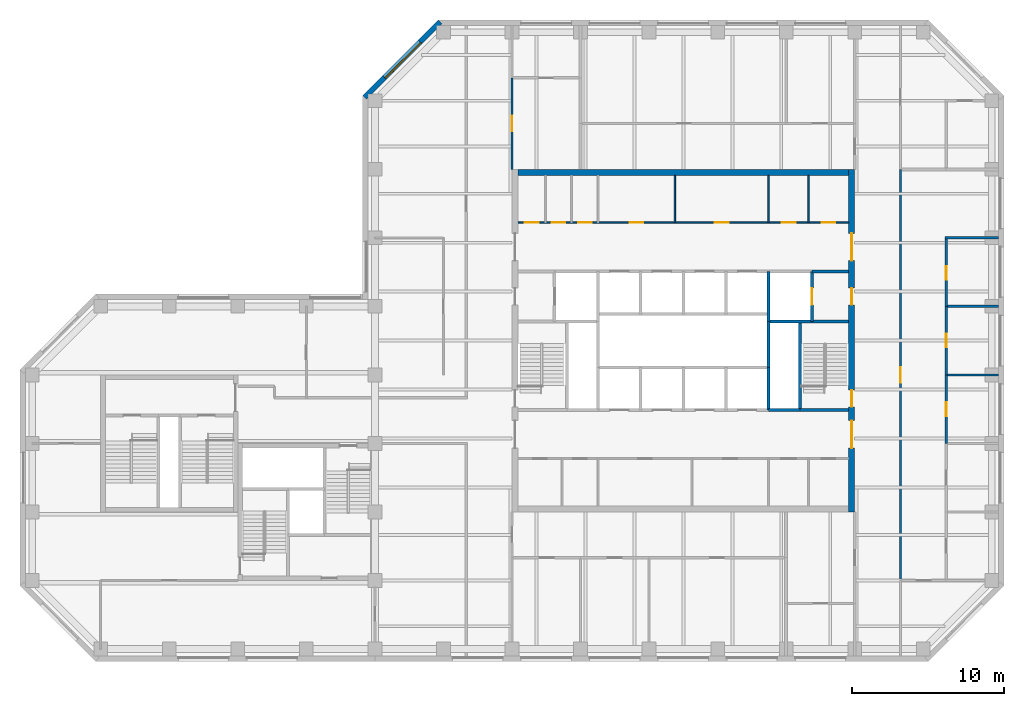
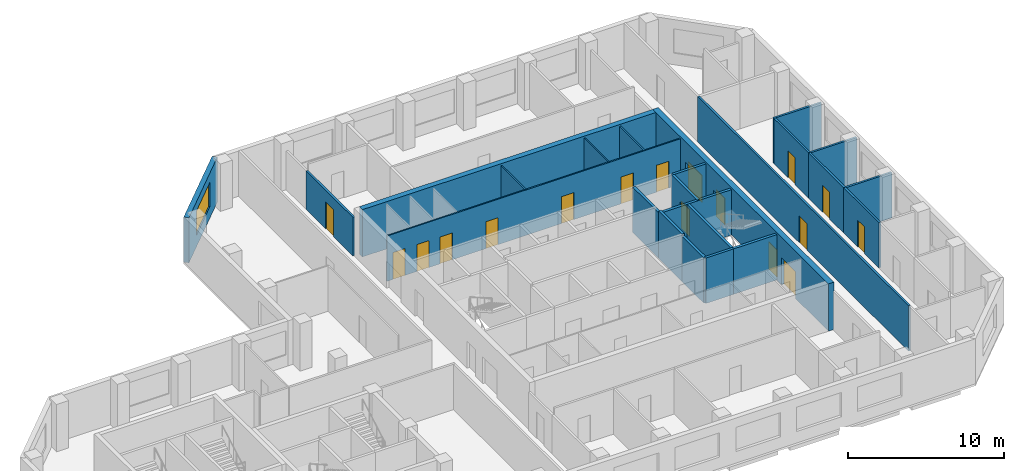
# One storey, part 6 of 9: 24 walls, 17 doors, 1 window, 18 openings.
"""IFC4 building model written with IfcOpenShell, lengths in metres."""

import ifcopenshell
import ifcopenshell.guid

model = None  # the IFC model being written
_history = None  # IfcOwnerHistory: only IFC2X3 demands one
_inside = {}  # id of a spatial element -> (the spatial element, [elements in it])
_under = {}  # id of a project, library or spatial element -> (it, [spatial elements below it])
_declared = {}  # id of a project -> (the project, [libraries it declares])
_typed = {}  # id of a type object -> (the type object, [elements of that type])
_made_of = {}  # id of a material, layer set ... -> (it, [elements and type objects made of it])


def new_model(schema):
    """Start an empty IFC model of exactly this schema.

    Asked for "IFC4X3", IfcOpenShell would pick the latest addendum, in which some entities
    have other attributes; the version numbers below select the first issue.
    IFC2X3 requires an IfcOwnerHistory on every rooted entity: one is made here for all.
    """
    global model, _history
    if schema == "IFC4X3":
        model = ifcopenshell.file(schema_version=(4, 3, 0, 0))
    else:
        model = ifcopenshell.file(schema=schema)
    _inside.clear()
    _under.clear()
    _declared.clear()
    _typed.clear()
    _made_of.clear()
    _history = None
    if model.schema == "IFC2X3":
        org = make("IfcOrganization", Name="unknown")
        user = make(
            "IfcPersonAndOrganization",
            ThePerson=make("IfcPerson", FamilyName="unknown"),
            TheOrganization=org,
        )
        app = make(
            "IfcApplication",
            ApplicationDeveloper=org,
            Version="unknown",
            ApplicationFullName="unknown",
            ApplicationIdentifier="unknown",
        )
        _history = make(
            "IfcOwnerHistory",
            OwningUser=user,
            OwningApplication=app,
            ChangeAction="ADDED",
            CreationDate=0,
        )
    return model


def make(cls, **values):
    """One entity of the class cls with the attributes given. An attribute that is None is left unset."""
    return model.create_entity(
        cls, **{name: value for name, value in values.items() if value is not None}
    )


def rooted(cls, **values):
    """An entity with a GlobalId (a new one), such as an element, a storey or a relation."""
    return make(cls, GlobalId=ifcopenshell.guid.new(), OwnerHistory=_history, **values)


def si_unit(unit_type, name, prefix=None):
    """IfcSIUnit, for example si_unit("LENGTHUNIT", "METRE", prefix="MILLI")."""
    return make("IfcSIUnit", UnitType=unit_type, Prefix=prefix, Name=name)


def assignment(units):
    """IfcUnitAssignment: the units of a project."""
    return None if units is None else make("IfcUnitAssignment", Units=units)


def point(xyz):
    """IfcCartesianPoint."""
    return None if xyz is None else make("IfcCartesianPoint", Coordinates=xyz)


def direction(xyz):
    """IfcDirection."""
    return None if xyz is None else make("IfcDirection", DirectionRatios=xyz)


def frame(location, z_axis=None, x_axis=None):
    """IfcAxis2Placement3D, a coordinate frame: its origin and axes. An axis left out is left unset."""
    return make(
        "IfcAxis2Placement3D",
        Location=point(location),
        Axis=direction(z_axis),
        RefDirection=direction(x_axis),
    )


def frame_2d(location, x_axis=None):
    """IfcAxis2Placement2D, a coordinate frame in the plane: its origin and x axis."""
    return make(
        "IfcAxis2Placement2D", Location=point(location), RefDirection=direction(x_axis)
    )


def origin():
    """The frame at (0, 0, 0) with its axes left unset."""
    return frame((0.0, 0.0, 0.0))


def place(relative_to, where):
    """IfcLocalPlacement: puts the frame where relative to a parent placement (None: the world)."""
    return make(
        "IfcLocalPlacement", PlacementRelTo=relative_to, RelativePlacement=where
    )


def context(
    kind, dimensions, precision=None, world=None, true_north=None, identifier=None
):
    """IfcGeometricRepresentationContext, for example the 3D "Model" context."""
    return make(
        "IfcGeometricRepresentationContext",
        ContextIdentifier=identifier,
        ContextType=kind,
        CoordinateSpaceDimension=dimensions,
        Precision=precision,
        WorldCoordinateSystem=world,
        TrueNorth=true_north,
    )


def subcontext(parent, identifier, kind, view, scale=None):
    """IfcGeometricRepresentationSubContext, for example "Body" below "Model"."""
    return make(
        "IfcGeometricRepresentationSubContext",
        ContextIdentifier=identifier,
        ContextType=kind,
        ParentContext=parent,
        TargetScale=scale,
        TargetView=view,
    )


def project(units=None, contexts=None):
    """IfcProject with its units and contexts."""
    return rooted(
        "IfcProject",
        Name="project",
        RepresentationContexts=contexts,
        UnitsInContext=assignment(units),
    )


def spatial(cls, under=None, at=None, **own):
    """A site, building, storey or space (cls), placed at a placement, below another one or the project."""
    s = rooted(cls, ObjectPlacement=at, **own)
    if under is not None:
        _under.setdefault(under.id(), (under, []))[1].append(s)
    return s


def profile(cls, at=None, kind="AREA", **sizes):
    """A parametric profile (cls). Its sizes go by their IFC names, for example OverallWidth=200.0."""
    return make(cls, ProfileType=kind, Position=at, **sizes)


def rectangle(**sizes):
    """IfcRectangleProfileDef."""
    return profile("IfcRectangleProfileDef", **sizes)


def extrude(swept, where, along, depth):
    """IfcExtrudedAreaSolid: the profile swept, set in the frame where, extruded along a direction by depth."""
    return make(
        "IfcExtrudedAreaSolid",
        SweptArea=swept,
        Position=where,
        ExtrudedDirection=direction(along),
        Depth=depth,
    )


def shape(context_of_items, identifier, shape_type, items):
    """IfcShapeRepresentation: the items that make up one representation, for example the "Body"."""
    return make(
        "IfcShapeRepresentation",
        ContextOfItems=context_of_items,
        RepresentationIdentifier=identifier,
        RepresentationType=shape_type,
        Items=items,
    )


def material(Name=None, Category=None):
    """IfcMaterial."""
    return make("IfcMaterial", Name=Name, Category=Category)


def layer(
    of_material, thickness, ventilated=None, Name=None, Category=None, Priority=None
):
    """IfcMaterialLayer: one layer of a wall or slab, of a material (None: an air gap)."""
    return make(
        "IfcMaterialLayer",
        Material=of_material,
        LayerThickness=thickness,
        IsVentilated=ventilated,
        Name=Name,
        Category=Category,
        Priority=Priority,
    )


def layer_set(layers, Name=None):
    """IfcMaterialLayerSet."""
    return make("IfcMaterialLayerSet", MaterialLayers=layers, LayerSetName=Name)


def constituent(of_material, Name=None, Category=None, fraction=None):
    """IfcMaterialConstituent: one of the materials an element consists of."""
    return make(
        "IfcMaterialConstituent",
        Name=Name,
        Material=of_material,
        Fraction=fraction,
        Category=Category,
    )


def constituent_set(constituents=None, Name=None):
    """IfcMaterialConstituentSet."""
    return make(
        "IfcMaterialConstituentSet", Name=Name, MaterialConstituents=constituents
    )


def made_of(thing, what):
    """Note that an element or type object is made of a material, layer set ...; save() writes the relation."""
    if what is not None:
        _made_of.setdefault(what.id(), (what, []))[1].append(thing)
    return thing


def type_object(cls, material=None, **own):
    """A type object (cls), such as IfcWallType, which elements share."""
    return made_of(rooted(cls, **own), material)


def element(
    cls,
    number,
    at=None,
    inside=None,
    cuts=None,
    type_object=None,
    material=None,
    context=None,
    identifier="Body",
    shape_type=None,
    held_by="IfcProductDefinitionShape",
    body=None,
    shapes=None,
    **own,
):
    """One element of the class cls, such as IfcWall. Its Tag is "e" and its number.

    at: its placement. inside: the storey or other place that contains it. cuts: it is an
    opening in that element (IfcRelVoidsElement). A single representation is given by context,
    identifier, shape_type and body (its items); several are given by shapes. held_by: the class
    of the entity that holds the representations. save() writes the other relations.
    """
    e = rooted(cls, Tag="e%d" % number, ObjectPlacement=at, **own)
    if body is not None:
        shapes = [shape(context, identifier, shape_type, body)]
    if shapes is not None:
        e.Representation = make(held_by, Representations=shapes)
    if inside is not None:
        _inside.setdefault(inside.id(), (inside, []))[1].append(e)
    if cuts is not None:
        rooted(
            "IfcRelVoidsElement", RelatingBuildingElement=cuts, RelatedOpeningElement=e
        )
    if type_object is not None:
        _typed.setdefault(type_object.id(), (type_object, []))[1].append(e)
    return made_of(e, material)


def fill(opening, filler):
    """IfcRelFillsElement: the door or window that sits in an opening."""
    return rooted(
        "IfcRelFillsElement",
        RelatingOpeningElement=opening,
        RelatedBuildingElement=filler,
    )


def aggregate(whole, parts):
    """IfcRelAggregates: a whole, such as a stair, and the parts it consists of."""
    return rooted("IfcRelAggregates", RelatingObject=whole, RelatedObjects=parts)


def save(model, path):
    """Write the relations noted so far, then the file.

    IfcRelAggregates (storeys below a building ...), IfcRelContainedInSpatialStructure (elements
    in a storey), IfcRelDefinesByType, IfcRelAssociatesMaterial and IfcRelDeclares: one each for
    every whole, place, type object, material and project.
    """
    for whole, parts in _under.values():
        aggregate(whole, parts)
    for where, things in _inside.values():
        rooted(
            "IfcRelContainedInSpatialStructure",
            RelatedElements=things,
            RelatingStructure=where,
        )
    for kind, things in _typed.values():
        rooted("IfcRelDefinesByType", RelatedObjects=things, RelatingType=kind)
    for what, things in _made_of.values():
        rooted("IfcRelAssociatesMaterial", RelatedObjects=things, RelatingMaterial=what)
    for by, libraries in _declared.values():
        rooted("IfcRelDeclares", RelatingContext=by, RelatedDefinitions=libraries)
    model.write(path)


model = new_model("IFC4")

# Units and contexts
model_context = context("Model", 3, precision=1e-05, world=origin(), true_north=direction((0.0, 1.0)))
body_context = subcontext(model_context, "Body", "Model", "MODEL_VIEW")
ifc_project = project(units=[si_unit("LENGTHUNIT", "METRE"), si_unit("AREAUNIT", "SQUARE_METRE"), si_unit("VOLUMEUNIT", "CUBIC_METRE"), si_unit("PLANEANGLEUNIT", "RADIAN"), si_unit("MASSUNIT", "GRAM", prefix="KILO")], contexts=[model_context])

# Site, building, storey
site_placement = place(None, origin())
site = spatial("IfcSite", under=ifc_project, at=site_placement, CompositionType="ELEMENT")
building_placement = place(site_placement, origin())
building = spatial("IfcBuilding", under=site, at=building_placement, Name="Quoin Convention Tower", CompositionType="ELEMENT")
storey_placement = place(building_placement, frame((0.0, 0.0, 177.300048828125)))
storey = spatial("IfcBuildingStorey", under=building, at=storey_placement, Name="L46", CompositionType="ELEMENT", Elevation=177.300048828125)

# Walls
ifc_material_1 = material(Name="Plasterboard")
ifc_layer_1 = layer(ifc_material_1, 0.012451171875, Name="Finish")
ifc_material_2 = material(Name="Steel stud framing", Category="steel")
ifc_layer_2 = layer(ifc_material_2, 0.125, Name="Structure")
ifc_layer_3 = layer(ifc_material_1, 0.012451171875, Name="Finish")
ifc_layer_set_1 = layer_set([ifc_layer_1, ifc_layer_2, ifc_layer_3], Name="Steel stud framing")
wall_type_1 = type_object("IfcWallType", Name="Acoustic partition 150", PredefinedType="PARTITIONING", material=ifc_layer_set_1)
for number, where, z_axis, x_axis, name in (
    (1, (73.574951171875, 58.5, 0.0), (0.0, 0.0, 1.0), (1.0, 0.0, 0.0), "pw-L46-015"),
    (2, (73.574951171875, 63.0, 0.0), (0.0, 0.0, 1.0), (1.0, 0.0, 0.0), "pw-L46-017"),
):
    element("IfcWall", number, at=place(storey_placement, frame(where, z_axis=z_axis, x_axis=x_axis)), inside=storey, type_object=wall_type_1, Name=name, PredefinedType="PARTITIONING", context=body_context, shape_type="SweptSolid", body=[
        extrude(rectangle(XDim=3.375, YDim=0.14990234375, at=frame_2d((1.6875, 0.0))), origin(), (0.0, 0.0, 1.0), 3.550048828125),
    ])
wall_1_placement = place(storey_placement, frame((73.425048828125, 67.5, 0.0), z_axis=(0.0, 0.0, 1.0), x_axis=(1.0, 0.0, 0.0)))
element("IfcWall", 3, at=wall_1_placement, inside=storey, type_object=wall_type_1, Name="pw-L46-018", PredefinedType="PARTITIONING", context=body_context, shape_type="SweptSolid", body=[
    extrude(rectangle(XDim=3.52490234375, YDim=0.14990234375, at=frame_2d((1.762451171875, 0.0))), origin(), (0.0, 0.0, 1.0), 3.550048828125),
])

# Wall, opening, door
wall_2_placement = place(storey_placement, frame((73.5, 54.0, 0.0), z_axis=(0.0, 0.0, 1.0), x_axis=(0.0, 1.0, 0.0)))
wall_2 = element("IfcWall", 4, at=wall_2_placement, inside=storey, type_object=wall_type_1, Name="pw-L46-044", PredefinedType="PARTITIONING", context=body_context, shape_type="SweptSolid", body=[
    extrude(rectangle(XDim=4.5, YDim=0.14990234375, at=frame_2d((2.25, 0.0))), origin(), (0.0, 0.0, 1.0), 3.550048828125),
])
opening_1_placement = place(wall_2_placement, frame((1.800048828125, 0.0, 0.0)))
opening_1 = element("IfcOpeningElement", 5, at=opening_1_placement, cuts=wall_2, Name="Opening DOH5-16", PredefinedType="OPENING", context=body_context, shape_type="SweptSolid", body=[
    extrude(rectangle(XDim=0.89990234375, YDim=2.10009765625, at=frame_2d((0.449951171875, 1.050048828125))), frame((0.0, 0.0849609375, 0.0), z_axis=(0.0, -1.0, 0.0), x_axis=(1.0, 0.0, 0.0)), (0.0, 0.0, 1.0), 0.169921875),
])
ifc_material_3 = material(Name="Steel door leaf", Category="steel")
door_type_1 = type_object("IfcDoorType", Name="Office door 900 x 2100", OperationType="SINGLE_SWING_RIGHT", PredefinedType="DOOR", material=ifc_material_3)
door_1_placement = place(opening_1_placement, origin())
door_1 = element("IfcDoor", 6, at=door_1_placement, inside=storey, type_object=door_type_1, Name="dr-L46-22", OperationType="SINGLE_SWING_RIGHT", OverallHeight=2.10009765625, OverallWidth=0.89990234375, PredefinedType="DOOR", context=body_context, shape_type="SweptSolid", body=[
    extrude(rectangle(XDim=0.89990234375, YDim=2.10009765625, at=frame_2d((0.449951171875, 1.050048828125))), frame((0.0, 0.02490234375, 0.0), z_axis=(0.0, -1.0, 0.0), x_axis=(1.0, 0.0, 0.0)), (0.0, 0.0, 1.0), 0.050048828125),
])
fill(opening_1, door_1)

wall_3_placement = place(storey_placement, frame((73.5, 58.5, 0.0), z_axis=(0.0, 0.0, 1.0), x_axis=(0.0, 1.0, 0.0)))
wall_3 = element("IfcWall", 7, at=wall_3_placement, inside=storey, type_object=wall_type_1, Name="pw-L46-046", PredefinedType="PARTITIONING", context=body_context, shape_type="SweptSolid", body=[
    extrude(rectangle(XDim=4.5, YDim=0.14990234375, at=frame_2d((2.25, 0.0))), origin(), (0.0, 0.0, 1.0), 3.550048828125),
])
opening_2_placement = place(wall_3_placement, frame((1.800048828125, 0.0, 0.0)))
opening_2 = element("IfcOpeningElement", 8, at=opening_2_placement, cuts=wall_3, Name="Opening DOH5-18", PredefinedType="OPENING", context=body_context, shape_type="SweptSolid", body=[
    extrude(rectangle(XDim=0.89990234375, YDim=2.10009765625, at=frame_2d((0.449951171875, 1.050048828125))), frame((0.0, 0.0849609375, 0.0), z_axis=(0.0, -1.0, 0.0), x_axis=(1.0, 0.0, 0.0)), (0.0, 0.0, 1.0), 0.169921875),
])
door_2_placement = place(opening_2_placement, origin())
door_2 = element("IfcDoor", 9, at=door_2_placement, inside=storey, type_object=door_type_1, Name="dr-L46-23", OperationType="SINGLE_SWING_RIGHT", OverallHeight=2.10009765625, OverallWidth=0.89990234375, PredefinedType="DOOR", context=body_context, shape_type="SweptSolid", body=[
    extrude(rectangle(XDim=0.89990234375, YDim=2.10009765625, at=frame_2d((0.449951171875, 1.050048828125))), frame((0.0, 0.02490234375, 0.0), z_axis=(0.0, -1.0, 0.0), x_axis=(1.0, 0.0, 0.0)), (0.0, 0.0, 1.0), 0.050048828125),
])
fill(opening_2, door_2)

wall_4_placement = place(storey_placement, frame((73.5, 63.0, 0.0), z_axis=(0.0, 0.0, 1.0), x_axis=(0.0, 1.0, 0.0)))
wall_4 = element("IfcWall", 10, at=wall_4_placement, inside=storey, type_object=wall_type_1, Name="pw-L46-049", PredefinedType="PARTITIONING", context=body_context, shape_type="SweptSolid", body=[
    extrude(rectangle(XDim=4.425048828125, YDim=0.14990234375, at=frame_2d((2.21240234375, 0.0))), origin(), (0.0, 0.0, 1.0), 3.550048828125),
])
opening_3_placement = place(wall_4_placement, frame((1.75, 0.0, 0.0)))
opening_3 = element("IfcOpeningElement", 11, at=opening_3_placement, cuts=wall_4, Name="Opening DOH5-19", PredefinedType="OPENING", context=body_context, shape_type="SweptSolid", body=[
    extrude(rectangle(XDim=0.89990234375, YDim=2.10009765625, at=frame_2d((0.449951171875, 1.050048828125))), frame((0.0, 0.0849609375, 0.0), z_axis=(0.0, -1.0, 0.0), x_axis=(1.0, 0.0, 0.0)), (0.0, 0.0, 1.0), 0.169921875),
])
door_3_placement = place(opening_3_placement, origin())
door_3 = element("IfcDoor", 12, at=door_3_placement, inside=storey, type_object=door_type_1, Name="dr-L46-24", OperationType="SINGLE_SWING_RIGHT", OverallHeight=2.10009765625, OverallWidth=0.89990234375, PredefinedType="DOOR", context=body_context, shape_type="SweptSolid", body=[
    extrude(rectangle(XDim=0.89990234375, YDim=2.10009765625, at=frame_2d((0.449951171875, 1.050048828125))), frame((0.0, 0.02490234375, 0.0), z_axis=(0.0, -1.0, 0.0), x_axis=(1.0, 0.0, 0.0)), (0.0, 0.0, 1.0), 0.050048828125),
])
fill(opening_3, door_3)

# Wall, opening, window
ifc_material_4 = material(Name="Brick masonry", Category="masonry")
ifc_layer_4 = layer(ifc_material_4, 0.35009765625)
ifc_layer_set_2 = layer_set([ifc_layer_4], Name="Brick masonry")
wall_type_2 = type_object("IfcWallType", Name="Brick facade wall", PredefinedType="STANDARD", material=ifc_layer_set_2)
wall_5_placement = place(storey_placement, frame((40.29248046875, 81.67626953125, 0.0), z_axis=(0.0, 0.0, 1.0), x_axis=(-0.707106781187, -0.707106781187, 0.0)))
wall_5 = element("IfcWall", 13, at=wall_5_placement, inside=storey, type_object=wall_type_2, Name="fw-L46-40500_81000", PredefinedType="STANDARD", context=body_context, shape_type="SweptSolid", body=[
    extrude(rectangle(XDim=7.02685546875, YDim=0.35009765625, at=frame_2d((3.513427734375, 0.0))), origin(), (0.0, 0.0, 1.0), 3.52490234375),
])
opening_4_placement = place(wall_5_placement, frame((1.86328125, 0.0, 0.89990234375)))
opening_4 = element("IfcOpeningElement", 14, at=opening_4_placement, cuts=wall_5, Name="Opening W-02", PredefinedType="OPENING", context=body_context, shape_type="SweptSolid", body=[
    extrude(rectangle(XDim=3.300048828125, YDim=1.89990234375, at=frame_2d((1.64990234375, 0.949951171875))), frame((0.0, 0.18505859375, 0.0), z_axis=(0.0, -1.0, 0.0), x_axis=(1.0, 0.0, 0.0)), (0.0, 0.0, 1.0), 0.3701171875),
])
ifc_material_5 = material(Name="Aluminium", Category="aluminium")
ifc_constituent_1 = constituent(ifc_material_5, Name="Frame")
ifc_material_6 = material(Name="Insulated glass", Category="glass")
ifc_constituent_2 = constituent(ifc_material_6, Name="Glazing")
ifc_constituent_set = constituent_set(constituents=[ifc_constituent_1, ifc_constituent_2], Name="Aluminium")
window_type = type_object("IfcWindowType", Name="Office window", PartitioningType="DOUBLE_PANEL_VERTICAL", PredefinedType="WINDOW", material=ifc_constituent_set)
window_placement = place(opening_4_placement, origin())
window = element("IfcWindow", 15, at=window_placement, inside=storey, type_object=window_type, Name="win-L46-37808_79192", OverallHeight=1.89990234375, OverallWidth=3.300048828125, PartitioningType="SINGLE_PANEL", PredefinedType="WINDOW", context=body_context, shape_type="SweptSolid", body=[
    extrude(rectangle(XDim=3.300048828125, YDim=1.89990234375, at=frame_2d((1.64990234375, 0.949951171875))), frame((0.0, 0.0849609375, 0.0), z_axis=(0.0, -1.0, 0.0), x_axis=(1.0, 0.0, 0.0)), (0.0, 0.0, 1.0), 0.06005859375),
])
fill(opening_4, window)

# Wall, openings, doors
ifc_layer_5 = layer(ifc_material_1, 0.012451171875, Name="Finish")
ifc_layer_6 = layer(ifc_material_2, 0.074951171875, Name="Structure")
ifc_layer_7 = layer(ifc_material_1, 0.012451171875, Name="Finish")
ifc_layer_set_3 = layer_set([ifc_layer_5, ifc_layer_6, ifc_layer_7], Name="Steel stud framing")
wall_type_3 = type_object("IfcWallType", Name="Core partition wall", PredefinedType="PARTITIONING", material=ifc_layer_set_3)
wall_6_placement = place(storey_placement, frame((45.39990234375, 68.5, 0.0), z_axis=(0.0, 0.0, 1.0), x_axis=(1.0, 0.0, 0.0)))
wall_6 = element("IfcWall", 16, at=wall_6_placement, inside=storey, type_object=wall_type_3, Name="cr-C1-L46-h19000_400", PredefinedType="PARTITIONING", context=body_context, shape_type="SweptSolid", body=[
    extrude(rectangle(XDim=21.7001953125, YDim=0.10009765625, at=frame_2d((10.85009765625, 0.0))), origin(), (0.0, 0.0, 1.0), 3.550048828125),
])
opening_5_placement = place(wall_6_placement, frame((19.9375, 0.0, 0.0)))
opening_5 = element("IfcOpeningElement", 17, at=opening_5_placement, cuts=wall_6, Name="Opening DCV4-14", PredefinedType="OPENING", context=body_context, shape_type="SweptSolid", body=[
    extrude(rectangle(XDim=0.89990234375, YDim=2.10009765625, at=frame_2d((0.449951171875, 1.050048828125))), frame((0.0, 0.06005859375, 0.0), z_axis=(0.0, -1.0, 0.0), x_axis=(1.0, 0.0, 0.0)), (0.0, 0.0, 1.0), 0.1201171875),
])
opening_6_placement = place(wall_6_placement, frame((17.3125, 0.0, 0.0)))
opening_6 = element("IfcOpeningElement", 18, at=opening_6_placement, cuts=wall_6, Name="Opening DCV4-13", PredefinedType="OPENING", context=body_context, shape_type="SweptSolid", body=[
    extrude(rectangle(XDim=0.89990234375, YDim=2.10009765625, at=frame_2d((0.449951171875, 1.050048828125))), frame((0.0, 0.06005859375, 0.0), z_axis=(0.0, -1.0, 0.0), x_axis=(1.0, 0.0, 0.0)), (0.0, 0.0, 1.0), 0.1201171875),
])
opening_7_placement = place(wall_6_placement, frame((0.4423828125, 0.0, 0.0)))
opening_7 = element("IfcOpeningElement", 19, at=opening_7_placement, cuts=wall_6, Name="Opening DCV4-05", PredefinedType="OPENING", context=body_context, shape_type="SweptSolid", body=[
    extrude(rectangle(XDim=0.89990234375, YDim=2.10009765625, at=frame_2d((0.449951171875, 1.050048828125))), frame((0.0, 0.06005859375, 0.0), z_axis=(0.0, -1.0, 0.0), x_axis=(1.0, 0.0, 0.0)), (0.0, 0.0, 1.0), 0.1201171875),
])
opening_8_placement = place(wall_6_placement, frame((2.201416015625, 0.0, 0.0)))
opening_8 = element("IfcOpeningElement", 20, at=opening_8_placement, cuts=wall_6, Name="Opening DCV4-06", PredefinedType="OPENING", context=body_context, shape_type="SweptSolid", body=[
    extrude(rectangle(XDim=0.89990234375, YDim=2.10009765625, at=frame_2d((0.449951171875, 1.050048828125))), frame((0.0, 0.06005859375, 0.0), z_axis=(0.0, -1.0, 0.0), x_axis=(1.0, 0.0, 0.0)), (0.0, 0.0, 1.0), 0.1201171875),
])
opening_9_placement = place(wall_6_placement, frame((3.93359375, 0.0, 0.0)))
opening_9 = element("IfcOpeningElement", 21, at=opening_9_placement, cuts=wall_6, Name="Opening DCV4-07", PredefinedType="OPENING", context=body_context, shape_type="SweptSolid", body=[
    extrude(rectangle(XDim=0.89990234375, YDim=2.10009765625, at=frame_2d((0.449951171875, 1.050048828125))), frame((0.0, 0.06005859375, 0.0), z_axis=(0.0, -1.0, 0.0), x_axis=(1.0, 0.0, 0.0)), (0.0, 0.0, 1.0), 0.1201171875),
])
opening_10_placement = place(wall_6_placement, frame((12.919921875, 0.0, 0.0)))
opening_10 = element("IfcOpeningElement", 22, at=opening_10_placement, cuts=wall_6, Name="Opening DCV4-11", PredefinedType="OPENING", context=body_context, shape_type="SweptSolid", body=[
    extrude(rectangle(XDim=0.89990234375, YDim=2.10009765625, at=frame_2d((0.449951171875, 1.050048828125))), frame((0.0, 0.06005859375, 0.0), z_axis=(0.0, -1.0, 0.0), x_axis=(1.0, 0.0, 0.0)), (0.0, 0.0, 1.0), 0.1201171875),
])
opening_11_placement = place(wall_6_placement, frame((7.320068359375, 0.0, 0.0)))
opening_11 = element("IfcOpeningElement", 23, at=opening_11_placement, cuts=wall_6, Name="Opening DCV4-08", PredefinedType="OPENING", context=body_context, shape_type="SweptSolid", body=[
    extrude(rectangle(XDim=0.89990234375, YDim=2.10009765625, at=frame_2d((0.449951171875, 1.050048828125))), frame((0.0, 0.06005859375, 0.0), z_axis=(0.0, -1.0, 0.0), x_axis=(1.0, 0.0, 0.0)), (0.0, 0.0, 1.0), 0.1201171875),
])
door_type_2 = type_object("IfcDoorType", Name="Core room door 900 x 2100", OperationType="SINGLE_SWING_LEFT", PredefinedType="DOOR", material=ifc_material_3)
door_4_placement = place(opening_5_placement, origin())
door_4 = element("IfcDoor", 24, at=door_4_placement, inside=storey, type_object=door_type_2, Name="cd-C1-L46-CNE0-lobB-CD4607", OperationType="SINGLE_SWING_RIGHT", OverallHeight=2.10009765625, OverallWidth=0.89990234375, PredefinedType="DOOR", context=body_context, shape_type="SweptSolid", body=[
    extrude(rectangle(XDim=0.89990234375, YDim=2.10009765625, at=frame_2d((0.449951171875, 1.050048828125))), frame((0.0, 0.02490234375, 0.0), z_axis=(0.0, -1.0, 0.0), x_axis=(1.0, 0.0, 0.0)), (0.0, 0.0, 1.0), 0.050048828125),
])
fill(opening_5, door_4)
door_5_placement = place(opening_6_placement, origin())
door_5 = element("IfcDoor", 25, at=door_5_placement, inside=storey, type_object=door_type_2, Name="cd-C1-L46-CNE1-lobB-CD4608", OperationType="SINGLE_SWING_RIGHT", OverallHeight=2.10009765625, OverallWidth=0.89990234375, PredefinedType="DOOR", context=body_context, shape_type="SweptSolid", body=[
    extrude(rectangle(XDim=0.89990234375, YDim=2.10009765625, at=frame_2d((0.449951171875, 1.050048828125))), frame((0.0, 0.02490234375, 0.0), z_axis=(0.0, -1.0, 0.0), x_axis=(1.0, 0.0, 0.0)), (0.0, 0.0, 1.0), 0.050048828125),
])
fill(opening_6, door_5)
door_6_placement = place(opening_7_placement, origin())
door_6 = element("IfcDoor", 26, at=door_6_placement, inside=storey, type_object=door_type_2, Name="cd-C1-L46-CNW0-lobB-CD4609", OperationType="SINGLE_SWING_RIGHT", OverallHeight=2.10009765625, OverallWidth=0.89990234375, PredefinedType="DOOR", context=body_context, shape_type="SweptSolid", body=[
    extrude(rectangle(XDim=0.89990234375, YDim=2.10009765625, at=frame_2d((0.449951171875, 1.050048828125))), frame((0.0, 0.02490234375, 0.0), z_axis=(0.0, -1.0, 0.0), x_axis=(1.0, 0.0, 0.0)), (0.0, 0.0, 1.0), 0.050048828125),
])
fill(opening_7, door_6)
door_7_placement = place(opening_8_placement, origin())
door_7 = element("IfcDoor", 27, at=door_7_placement, inside=storey, type_object=door_type_2, Name="cd-C1-L46-CNW1-lobB-CD4610", OperationType="SINGLE_SWING_RIGHT", OverallHeight=2.10009765625, OverallWidth=0.89990234375, PredefinedType="DOOR", context=body_context, shape_type="SweptSolid", body=[
    extrude(rectangle(XDim=0.89990234375, YDim=2.10009765625, at=frame_2d((0.449951171875, 1.050048828125))), frame((0.0, 0.02490234375, 0.0), z_axis=(0.0, -1.0, 0.0), x_axis=(1.0, 0.0, 0.0)), (0.0, 0.0, 1.0), 0.050048828125),
])
fill(opening_8, door_7)
door_8_placement = place(opening_9_placement, origin())
door_8 = element("IfcDoor", 28, at=door_8_placement, inside=storey, type_object=door_type_2, Name="cd-C1-L46-CNW2-lobB-CD4611", OperationType="SINGLE_SWING_RIGHT", OverallHeight=2.10009765625, OverallWidth=0.89990234375, PredefinedType="DOOR", context=body_context, shape_type="SweptSolid", body=[
    extrude(rectangle(XDim=0.89990234375, YDim=2.10009765625, at=frame_2d((0.449951171875, 1.050048828125))), frame((0.0, 0.02490234375, 0.0), z_axis=(0.0, -1.0, 0.0), x_axis=(1.0, 0.0, 0.0)), (0.0, 0.0, 1.0), 0.050048828125),
])
fill(opening_9, door_8)
door_9_placement = place(opening_10_placement, origin())
door_9 = element("IfcDoor", 29, at=door_9_placement, inside=storey, type_object=door_type_2, Name="cd-C1-L46-F40-lobB-CD4618", OperationType="SINGLE_SWING_RIGHT", OverallHeight=2.10009765625, OverallWidth=0.89990234375, PredefinedType="DOOR", context=body_context, shape_type="SweptSolid", body=[
    extrude(rectangle(XDim=0.89990234375, YDim=2.10009765625, at=frame_2d((0.449951171875, 1.050048828125))), frame((0.0, 0.02490234375, 0.0), z_axis=(0.0, -1.0, 0.0), x_axis=(1.0, 0.0, 0.0)), (0.0, 0.0, 1.0), 0.050048828125),
])
fill(opening_10, door_9)
door_10_placement = place(opening_11_placement, origin())
door_10 = element("IfcDoor", 30, at=door_10_placement, inside=storey, type_object=door_type_2, Name="cd-C1-L46-F41-lobB-CD4619", OperationType="SINGLE_SWING_RIGHT", OverallHeight=2.10009765625, OverallWidth=0.89990234375, PredefinedType="DOOR", context=body_context, shape_type="SweptSolid", body=[
    extrude(rectangle(XDim=0.89990234375, YDim=2.10009765625, at=frame_2d((0.449951171875, 1.050048828125))), frame((0.0, 0.02490234375, 0.0), z_axis=(0.0, -1.0, 0.0), x_axis=(1.0, 0.0, 0.0)), (0.0, 0.0, 1.0), 0.050048828125),
])
fill(opening_11, door_10)

# Walls
for number, where, z_axis, x_axis, name in (
    (31, (55.68994140625, 68.5, 0.0), (0.0, 0.0, 1.0), (0.0, 1.0, 0.0), "cr-C1-L46-v10690_19000"),
    (32, (61.85009765625, 68.5, 0.0), (0.0, 0.0, 1.0), (0.0, 1.0, 0.0), "cr-C1-L46-v16850_19000"),
    (33, (64.47509765625, 68.5, 0.0), (0.0, 0.0, 1.0), (0.0, 1.0, 0.0), "cr-C1-L46-v19475_19000"),
):
    element("IfcWall", number, at=place(storey_placement, frame(where, z_axis=z_axis, x_axis=x_axis)), inside=storey, type_object=wall_type_3, Name=name, PredefinedType="PARTITIONING", context=body_context, shape_type="SweptSolid", body=[
        extrude(rectangle(XDim=3.10009765625, YDim=0.10009765625, at=frame_2d((1.550048828125, 0.0))), origin(), (0.0, 0.0, 1.0), 3.550048828125),
    ])
ifc_material_7 = material(Name="Concrete C50", Category="concrete")
ifc_layer_8 = layer(ifc_material_7, 0.199951171875)
ifc_layer_set_4 = layer_set([ifc_layer_8], Name="Concrete C50")
wall_type_4 = type_object("IfcWallType", Name="Core shaft wall", PredefinedType="SOLIDWALL", material=ifc_layer_set_4)
wall_7_placement = place(storey_placement, frame((61.85009765625, 56.199951171875, 0.0), z_axis=(0.0, 0.0, 1.0), x_axis=(1.0, 0.0, 0.0)))
element("IfcWall", 34, at=wall_7_placement, inside=storey, type_object=wall_type_4, Name="cr-C1-L46-h6700_16850", PredefinedType="SOLIDWALL", context=body_context, shape_type="SweptSolid", body=[
    extrude(rectangle(XDim=2.0498046875, YDim=0.199951171875, at=frame_2d((1.02490234375, 0.0))), origin(), (0.0, 0.0, 1.0), 3.550048828125),
])
wall_8_placement = place(storey_placement, frame((63.89990234375, 56.199951171875, 0.0), z_axis=(0.0, 0.0, 1.0), x_axis=(1.0, 0.0, 0.0)))
element("IfcWall", 35, at=wall_8_placement, inside=storey, type_object=wall_type_4, Name="cr-C1-L46-h6700_18900", PredefinedType="SOLIDWALL", context=body_context, shape_type="SweptSolid", body=[
    extrude(rectangle(XDim=3.2001953125, YDim=0.199951171875, at=frame_2d((1.60009765625, 0.0))), origin(), (0.0, 0.0, 1.0), 3.550048828125),
])
wall_9_placement = place(storey_placement, frame((61.85009765625, 62.0, 0.0), z_axis=(0.0, 0.0, 1.0), x_axis=(1.0, 0.0, 0.0)))
element("IfcWall", 36, at=wall_9_placement, inside=storey, type_object=wall_type_4, Name="cr-C1-L46-h12500_16850", PredefinedType="SOLIDWALL", context=body_context, shape_type="SweptSolid", body=[
    extrude(rectangle(XDim=5.25, YDim=0.199951171875, at=frame_2d((2.625, 0.0))), origin(), (0.0, 0.0, 1.0), 3.550048828125),
])
wall_10_placement = place(storey_placement, frame((64.699951171875, 65.300048828125, 0.0), z_axis=(0.0, 0.0, 1.0), x_axis=(1.0, 0.0, 0.0)))
element("IfcWall", 37, at=wall_10_placement, inside=storey, type_object=wall_type_4, Name="cr-C1-L46-h15800_19700", PredefinedType="SOLIDWALL", context=body_context, shape_type="SweptSolid", body=[
    extrude(rectangle(XDim=2.400146484375, YDim=0.199951171875, at=frame_2d((1.2001953125, 0.0))), origin(), (0.0, 0.0, 1.0), 3.550048828125),
])
wall_11_placement = place(storey_placement, frame((61.85009765625, 56.199951171875, 0.0), z_axis=(0.0, 0.0, 1.0), x_axis=(0.0, 1.0, 0.0)))
element("IfcWall", 38, at=wall_11_placement, inside=storey, type_object=wall_type_4, Name="cr-C1-L46-v16850_6700", PredefinedType="SOLIDWALL", context=body_context, shape_type="SweptSolid", body=[
    extrude(rectangle(XDim=2.800048828125, YDim=0.199951171875, at=frame_2d((1.39990234375, 0.0))), origin(), (0.0, 0.0, 1.0), 3.550048828125),
])
wall_12_placement = place(storey_placement, frame((61.85009765625, 62.0, 0.0), z_axis=(0.0, 0.0, 1.0), x_axis=(0.0, 1.0, 0.0)))
element("IfcWall", 39, at=wall_12_placement, inside=storey, type_object=wall_type_4, Name="cr-C1-L46-v16850_12500", PredefinedType="SOLIDWALL", context=body_context, shape_type="SweptSolid", body=[
    extrude(rectangle(XDim=3.300048828125, YDim=0.199951171875, at=frame_2d((1.64990234375, 0.0))), origin(), (0.0, 0.0, 1.0), 3.550048828125),
])
wall_13_placement = place(storey_placement, frame((63.89990234375, 56.199951171875, 0.0), z_axis=(0.0, 0.0, 1.0), x_axis=(0.0, 1.0, 0.0)))
element("IfcWall", 40, at=wall_13_placement, inside=storey, type_object=wall_type_4, Name="cr-C1-L46-v18900_6700", PredefinedType="SOLIDWALL", context=body_context, shape_type="SweptSolid", body=[
    extrude(rectangle(XDim=5.800048828125, YDim=0.199951171875, at=frame_2d((2.89990234375, 0.0))), origin(), (0.0, 0.0, 1.0), 3.550048828125),
])

# Wall, opening, door
wall_14_placement = place(storey_placement, frame((64.699951171875, 62.0, 0.0), z_axis=(0.0, 0.0, 1.0), x_axis=(0.0, 1.0, 0.0)))
wall_14 = element("IfcWall", 41, at=wall_14_placement, inside=storey, type_object=wall_type_4, Name="cr-C1-L46-v19700_12500", PredefinedType="SOLIDWALL", context=body_context, shape_type="SweptSolid", body=[
    extrude(rectangle(XDim=3.300048828125, YDim=0.199951171875, at=frame_2d((1.64990234375, 0.0))), origin(), (0.0, 0.0, 1.0), 3.550048828125),
])
opening_12_placement = place(wall_14_placement, frame((1.10009765625, 0.0, 0.0)))
opening_12 = element("IfcOpeningElement", 42, at=opening_12_placement, cuts=wall_14, Name="Opening LDFL2", PredefinedType="OPENING", context=body_context, shape_type="SweptSolid", body=[
    extrude(rectangle(XDim=1.10009765625, YDim=2.10009765625, at=frame_2d((0.550048828125, 1.050048828125))), frame((0.0, 0.10986328125, 0.0), z_axis=(0.0, -1.0, 0.0), x_axis=(1.0, 0.0, 0.0)), (0.0, 0.0, 1.0), 0.219970703125),
])
door_type_3 = type_object("IfcDoorType", Name="Lift landing door 1100 x 2100", OperationType="DOUBLE_DOOR_SLIDING", PredefinedType="DOOR", material=ifc_material_3)
door_11_placement = place(opening_12_placement, origin())
door_11 = element("IfcDoor", 43, at=door_11_placement, inside=storey, type_object=door_type_3, Name="cd-C1-L46-FLE-FFE-LDFL2", OperationType="DOUBLE_DOOR_SLIDING", OverallHeight=2.10009765625, OverallWidth=1.10009765625, PredefinedType="DOOR", context=body_context, shape_type="SweptSolid", body=[
    extrude(rectangle(XDim=1.10009765625, YDim=2.10009765625, at=frame_2d((0.550048828125, 1.050048828125))), frame((0.0, 0.02490234375, 0.0), z_axis=(0.0, -1.0, 0.0), x_axis=(1.0, 0.0, 0.0)), (0.0, 0.0, 1.0), 0.050048828125),
])
fill(opening_12, door_11)

# Wall
ifc_layer_9 = layer(ifc_material_7, 0.199951171875)
ifc_layer_set_5 = layer_set([ifc_layer_9], Name="Concrete C50")
wall_type_5 = type_object("IfcWallType", Name="Core shaft wall to the floor level over", PredefinedType="SOLIDWALL", material=ifc_layer_set_5)
wall_15_placement = place(storey_placement, frame((61.85009765625, 59.0, 0.0), z_axis=(0.0, 0.0, 1.0), x_axis=(0.0, 1.0, 0.0)))
element("IfcWall", 44, at=wall_15_placement, inside=storey, type_object=wall_type_5, Name="cr-C1-L46-v16850_9500", PredefinedType="SOLIDWALL", context=body_context, shape_type="SweptSolid", body=[
    extrude(rectangle(XDim=3.0, YDim=0.199951171875, at=frame_2d((1.5, 0.0))), origin(), (0.0, 0.0, 1.0), 3.699951171875),
])

# Wall, opening, door
ifc_layer_10 = layer(ifc_material_1, 0.012451171875, Name="Finish")
ifc_layer_11 = layer(ifc_material_2, 0.125, Name="Structure")
ifc_layer_12 = layer(ifc_material_1, 0.012451171875, Name="Finish")
ifc_layer_set_6 = layer_set([ifc_layer_10, ifc_layer_11, ifc_layer_12], Name="Steel stud framing")
wall_type_6 = type_object("IfcWallType", Name="Corridor wall 150", PredefinedType="PARTITIONING", material=ifc_layer_set_6)
wall_16_placement = place(storey_placement, frame((70.5, 45.0, 0.0), z_axis=(0.0, 0.0, 1.0), x_axis=(0.0, 1.0, 0.0)))
wall_16 = element("IfcWall", 45, at=wall_16_placement, inside=storey, type_object=wall_type_6, Name="pw-L46-036", PredefinedType="PARTITIONING", context=body_context, shape_type="SweptSolid", body=[
    extrude(rectangle(XDim=27.0, YDim=0.14990234375, at=frame_2d((13.5, 0.0))), origin(), (0.0, 0.0, 1.0), 3.550048828125),
])
opening_13_placement = place(wall_16_placement, frame((13.0, 0.0, 0.0)))
opening_13 = element("IfcOpeningElement", 46, at=opening_13_placement, cuts=wall_16, Name="Opening DOH5-12", PredefinedType="OPENING", context=body_context, shape_type="SweptSolid", body=[
    extrude(rectangle(XDim=1.0, YDim=2.10009765625, at=frame_2d((0.5, 1.050048828125))), frame((0.0, 0.0849609375, 0.0), z_axis=(0.0, -1.0, 0.0), x_axis=(1.0, 0.0, 0.0)), (0.0, 0.0, 1.0), 0.169921875),
])
door_type_4 = type_object("IfcDoorType", Name="Tenancy entrance door 1000 x 2100", OperationType="DOUBLE_DOOR_SINGLE_SWING", PredefinedType="DOOR", material=ifc_material_3)
door_12_placement = place(opening_13_placement, origin())
door_12 = element("IfcDoor", 47, at=door_12_placement, inside=storey, type_object=door_type_4, Name="dr-L46-18", OperationType="DOUBLE_DOOR_SINGLE_SWING", OverallHeight=2.10009765625, OverallWidth=1.0, PredefinedType="DOOR", context=body_context, shape_type="SweptSolid", body=[
    extrude(rectangle(XDim=1.0, YDim=2.10009765625, at=frame_2d((0.5, 1.050048828125))), frame((0.0, 0.02490234375, 0.0), z_axis=(0.0, -1.0, 0.0), x_axis=(1.0, 0.0, 0.0)), (0.0, 0.0, 1.0), 0.050048828125),
])
fill(opening_13, door_12)

ifc_layer_13 = layer(ifc_material_1, 0.012451171875, Name="Finish")
ifc_layer_14 = layer(ifc_material_2, 0.125, Name="Structure")
ifc_layer_15 = layer(ifc_material_1, 0.012451171875, Name="Finish")
ifc_layer_set_7 = layer_set([ifc_layer_13, ifc_layer_14, ifc_layer_15], Name="Steel stud framing")
wall_type_7 = type_object("IfcWallType", Name="Corridor wall 150 under beam 528", PredefinedType="PARTITIONING", material=ifc_layer_set_7)
wall_17_placement = place(storey_placement, frame((45.0, 72.0, 0.0), z_axis=(0.0, 0.0, 1.0), x_axis=(0.0, 1.0, 0.0)))
wall_17 = element("IfcWall", 48, at=wall_17_placement, inside=storey, type_object=wall_type_7, Name="pw-L46-050", PredefinedType="PARTITIONING", context=body_context, shape_type="SweptSolid", body=[
    extrude(rectangle(XDim=6.0, YDim=0.14990234375, at=frame_2d((3.0, 0.0))), origin(), (0.0, 0.0, 1.0), 3.02197265625),
])
opening_14_placement = place(wall_17_placement, frame((2.5, 0.0, 0.0)))
opening_14 = element("IfcOpeningElement", 49, at=opening_14_placement, cuts=wall_17, Name="Opening DOH5-20", PredefinedType="OPENING", context=body_context, shape_type="SweptSolid", body=[
    extrude(rectangle(XDim=1.0, YDim=2.10009765625, at=frame_2d((0.5, 1.050048828125))), frame((0.0, 0.0849609375, 0.0), z_axis=(0.0, -1.0, 0.0), x_axis=(1.0, 0.0, 0.0)), (0.0, 0.0, 1.0), 0.169921875),
])
door_13_placement = place(opening_14_placement, origin())
door_13 = element("IfcDoor", 50, at=door_13_placement, inside=storey, type_object=door_type_4, Name="dr-L46-13", OperationType="DOUBLE_DOOR_SINGLE_SWING", OverallHeight=2.10009765625, OverallWidth=1.0, PredefinedType="DOOR", context=body_context, shape_type="SweptSolid", body=[
    extrude(rectangle(XDim=1.0, YDim=2.10009765625, at=frame_2d((0.5, 1.050048828125))), frame((0.0, 0.02490234375, 0.0), z_axis=(0.0, -1.0, 0.0), x_axis=(1.0, 0.0, 0.0)), (0.0, 0.0, 1.0), 0.050048828125),
])
fill(opening_14, door_13)

# Wall
ifc_layer_16 = layer(ifc_material_7, 0.39990234375)
ifc_layer_set_8 = layer_set([ifc_layer_16], Name="Concrete C50")
wall_type_8 = type_object("IfcWallType", Name="RC CORE WALL 400 C50", PredefinedType="SHEAR", material=ifc_layer_set_8)
wall_18_placement = place(storey_placement, frame((45.39990234375, 71.800048828125, 0.0), z_axis=(0.0, 0.0, 1.0), x_axis=(1.0, 0.0, 0.0)))
element("IfcWall", 51, at=wall_18_placement, inside=storey, type_object=wall_type_8, Name="cwl-C1-L46-N", PredefinedType="SHEAR", context=body_context, shape_type="SweptSolid", body=[
    extrude(rectangle(XDim=21.7001953125, YDim=0.39990234375, at=frame_2d((10.85009765625, 0.0))), origin(), (0.0, 0.0, 1.0), 3.699951171875),
])

# Wall, openings, doors
wall_19_placement = place(storey_placement, frame((67.300048828125, 49.5, 0.0), z_axis=(0.0, 0.0, 1.0), x_axis=(0.0, 1.0, 0.0)))
wall_19 = element("IfcWall", 52, at=wall_19_placement, inside=storey, type_object=wall_type_8, Name="cwl-C1-L46-E", PredefinedType="SHEAR", context=body_context, shape_type="SweptSolid", body=[
    extrude(rectangle(XDim=22.5, YDim=0.39990234375, at=frame_2d((11.25, 0.0))), origin(), (0.0, 0.0, 1.0), 3.699951171875),
])
opening_15_placement = place(wall_19_placement, frame((4.199951171875, 0.0, 0.0)))
opening_15 = element("IfcOpeningElement", 53, at=opening_15_placement, cuts=wall_19, Name="Opening DCV4-39", PredefinedType="OPENING", context=body_context, shape_type="SweptSolid", body=[
    extrude(rectangle(XDim=1.800048828125, YDim=2.10009765625, at=frame_2d((0.89990234375, 1.050048828125))), frame((0.0, 0.2099609375, 0.0), z_axis=(0.0, -1.0, 0.0), x_axis=(1.0, 0.0, 0.0)), (0.0, 0.0, 1.0), 0.419921875),
])
opening_16_placement = place(wall_19_placement, frame((6.89990234375, 0.0, 0.0)))
opening_16 = element("IfcOpeningElement", 54, at=opening_16_placement, cuts=wall_19, Name="Opening SD2", PredefinedType="OPENING", context=body_context, shape_type="SweptSolid", body=[
    extrude(rectangle(XDim=1.10009765625, YDim=2.10009765625, at=frame_2d((0.550048828125, 1.050048828125))), frame((0.0, 0.2099609375, 0.0), z_axis=(0.0, -1.0, 0.0), x_axis=(1.0, 0.0, 0.0)), (0.0, 0.0, 1.0), 0.419921875),
])
opening_17_placement = place(wall_19_placement, frame((13.60009765625, 0.0, 0.0)))
opening_17 = element("IfcOpeningElement", 55, at=opening_17_placement, cuts=wall_19, Name="Opening DCV4-38", PredefinedType="OPENING", context=body_context, shape_type="SweptSolid", body=[
    extrude(rectangle(XDim=1.10009765625, YDim=2.10009765625, at=frame_2d((0.550048828125, 1.050048828125))), frame((0.0, 0.2099609375, 0.0), z_axis=(0.0, -1.0, 0.0), x_axis=(1.0, 0.0, 0.0)), (0.0, 0.0, 1.0), 0.419921875),
])
opening_18_placement = place(wall_19_placement, frame((16.5, 0.0, 0.0)))
opening_18 = element("IfcOpeningElement", 56, at=opening_18_placement, cuts=wall_19, Name="Opening DCV4-39", PredefinedType="OPENING", context=body_context, shape_type="SweptSolid", body=[
    extrude(rectangle(XDim=1.800048828125, YDim=2.10009765625, at=frame_2d((0.89990234375, 1.050048828125))), frame((0.0, 0.2099609375, 0.0), z_axis=(0.0, -1.0, 0.0), x_axis=(1.0, 0.0, 0.0)), (0.0, 0.0, 1.0), 0.419921875),
])
door_type_5 = type_object("IfcDoorType", Name="Fire-fighting lobby door 1100 x 2100", OperationType="SINGLE_SWING_LEFT", PredefinedType="DOOR", material=ifc_material_3)
door_14_placement = place(opening_17_placement, origin())
door_14 = element("IfcDoor", 57, at=door_14_placement, inside=storey, type_object=door_type_5, Name="cd-C1-L46-FFE-E", OperationType="SINGLE_SWING_RIGHT", OverallHeight=2.10009765625, OverallWidth=1.10009765625, PredefinedType="DOOR", context=body_context, shape_type="SweptSolid", body=[
    extrude(rectangle(XDim=1.10009765625, YDim=2.10009765625, at=frame_2d((0.550048828125, 1.050048828125))), frame((0.0, 0.02490234375, 0.0), z_axis=(0.0, -1.0, 0.0), x_axis=(1.0, 0.0, 0.0)), (0.0, 0.0, 1.0), 0.050048828125),
])
fill(opening_17, door_14)
door_type_6 = type_object("IfcDoorType", Name="Lift lobby door 1800 x 2100", OperationType="SINGLE_SWING_LEFT", PredefinedType="DOOR", material=ifc_material_3)
door_15_placement = place(opening_15_placement, origin())
door_15 = element("IfcDoor", 58, at=door_15_placement, inside=storey, type_object=door_type_6, Name="cd-C1-L46-lobA-E", OperationType="SINGLE_SWING_RIGHT", OverallHeight=2.10009765625, OverallWidth=1.800048828125, PredefinedType="DOOR", context=body_context, shape_type="SweptSolid", body=[
    extrude(rectangle(XDim=1.800048828125, YDim=2.10009765625, at=frame_2d((0.89990234375, 1.050048828125))), frame((0.0, 0.02490234375, 0.0), z_axis=(0.0, -1.0, 0.0), x_axis=(1.0, 0.0, 0.0)), (0.0, 0.0, 1.0), 0.050048828125),
])
fill(opening_15, door_15)
door_16_placement = place(opening_18_placement, origin())
door_16 = element("IfcDoor", 59, at=door_16_placement, inside=storey, type_object=door_type_6, Name="cd-C1-L46-lobB-E", OperationType="SINGLE_SWING_RIGHT", OverallHeight=2.10009765625, OverallWidth=1.800048828125, PredefinedType="DOOR", context=body_context, shape_type="SweptSolid", body=[
    extrude(rectangle(XDim=1.800048828125, YDim=2.10009765625, at=frame_2d((0.89990234375, 1.050048828125))), frame((0.0, 0.02490234375, 0.0), z_axis=(0.0, -1.0, 0.0), x_axis=(1.0, 0.0, 0.0)), (0.0, 0.0, 1.0), 0.050048828125),
])
fill(opening_18, door_16)
door_type_7 = type_object("IfcDoorType", Name="Stair door 1100 x 2100", OperationType="SINGLE_SWING_RIGHT", PredefinedType="DOOR", material=ifc_material_3)
door_17_placement = place(opening_16_placement, origin())
door_17 = element("IfcDoor", 60, at=door_17_placement, inside=storey, type_object=door_type_7, Name="cd-C1-L46-STE-E", OperationType="SINGLE_SWING_LEFT", OverallHeight=2.10009765625, OverallWidth=1.10009765625, PredefinedType="DOOR", context=body_context, shape_type="SweptSolid", body=[
    extrude(rectangle(XDim=1.10009765625, YDim=2.10009765625, at=frame_2d((0.550048828125, 1.050048828125))), frame((0.0, 0.02490234375, 0.0), z_axis=(0.0, -1.0, 0.0), x_axis=(1.0, 0.0, 0.0)), (0.0, 0.0, 1.0), 0.050048828125),
])
fill(opening_16, door_17)

save(model, "model.ifc")
